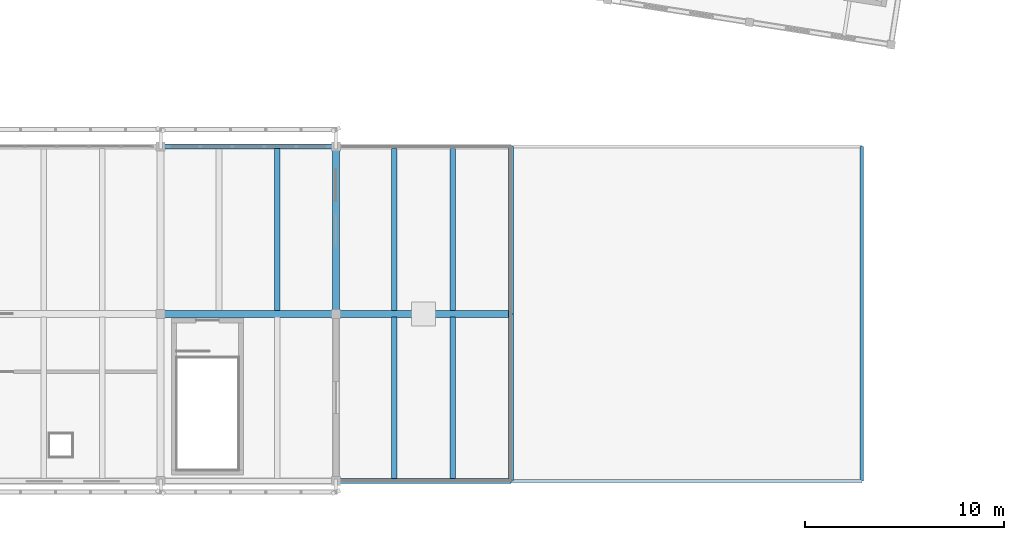
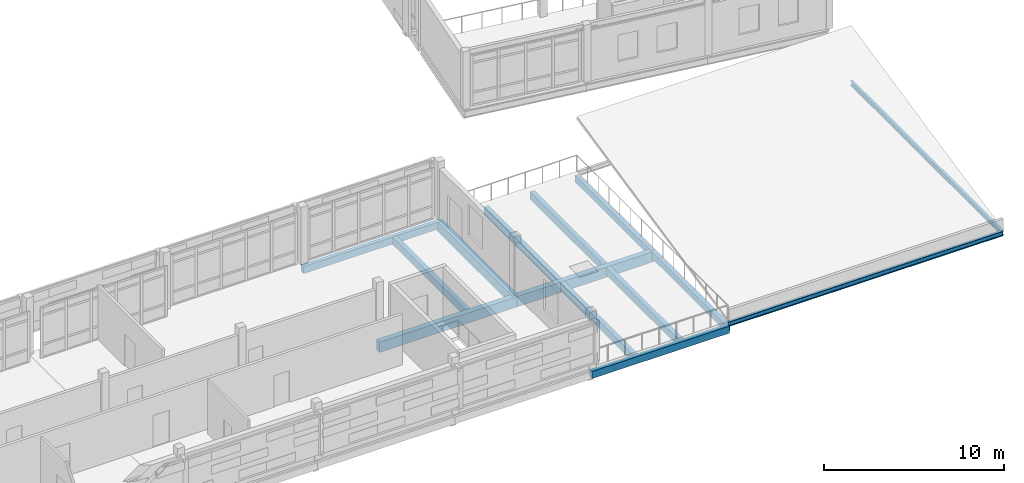
# One storey, part 32 of 117: 14 beams.
"""IFC4 building model written with IfcOpenShell, lengths in metres."""

from ifc_helpers import new_model, si_unit, direction, frame, origin, origin_2d, place, context, subcontext, project, spatial, rectangle, i_section, extrude, material, material_profile, profile_set, type_object, element, save


model = new_model("IFC4")

# Units and contexts
model_context = context("Model", 3, precision=1e-05, world=origin(), true_north=direction((0.0, 1.0)))
body_context = subcontext(model_context, "Body", "Model", "MODEL_VIEW")
ifc_project = project(units=[si_unit("LENGTHUNIT", "METRE"), si_unit("AREAUNIT", "SQUARE_METRE"), si_unit("VOLUMEUNIT", "CUBIC_METRE"), si_unit("PLANEANGLEUNIT", "RADIAN"), si_unit("MASSUNIT", "GRAM", prefix="KILO")], contexts=[model_context])

# Site, building, storey
site_placement = place(None, origin())
site = spatial("IfcSite", under=ifc_project, at=site_placement, CompositionType="ELEMENT")
building_placement = place(site_placement, origin())
building = spatial("IfcBuilding", under=site, at=building_placement, Name="Cinderway Yard Community Centre", CompositionType="ELEMENT")
storey_placement = place(building_placement, frame((0.0, 0.0, 9.0)))
storey = spatial("IfcBuildingStorey", under=building, at=storey_placement, Name="L02", CompositionType="ELEMENT", Elevation=9.0)

# Beams
ifc_material_1 = material(Name="Concrete C40/50", Category="concrete")
ifc_material_profile_1 = material_profile(ifc_material_1, rectangle(XDim=0.25, YDim=0.449951171875, at=origin_2d()), Name="Concrete C40/50")
ifc_profile_set_1 = profile_set([ifc_material_profile_1], Name="Concrete C40/50")
beam_type_1 = type_object("IfcBeamType", Name="STR-BM-RC250X450", PredefinedType="SPANDREL", material=ifc_profile_set_1)
beam_1_placement = place(storey_placement, frame((119.199951171875, 6.0, -0.465087890625), z_axis=(0.0, 1.0, 0.0), x_axis=(-1.0, 0.0, 0.0)))
element("IfcBeam", 1, at=beam_1_placement, inside=storey, type_object=beam_type_1, Name="Transverse girder STR-BM-L02-SP02-0469", PredefinedType="SPANDREL", context=body_context, shape_type="SweptSolid", body=[
    extrude(rectangle(XDim=0.25, YDim=0.449951171875, at=origin_2d()), origin(), (0.0, 0.0, 1.0), 8.39990234375),
])
beam_2_placement = place(storey_placement, frame((119.199951171875, 14.39990234375, -0.465087890625), z_axis=(0.0, 1.0, 0.0), x_axis=(-1.0, 0.0, 0.0)))
element("IfcBeam", 2, at=beam_2_placement, inside=storey, type_object=beam_type_1, Name="Transverse girder STR-BM-L02-SP02-0470", PredefinedType="SPANDREL", context=body_context, shape_type="SweptSolid", body=[
    extrude(rectangle(XDim=0.25, YDim=0.449951171875, at=origin_2d()), origin(), (0.0, 0.0, 1.0), 8.400146484375),
])
ifc_material_profile_2 = material_profile(ifc_material_1, rectangle(XDim=0.260009765625, YDim=0.47998046875, at=origin_2d()), Name="Concrete C40/50")
ifc_profile_set_2 = profile_set([ifc_material_profile_2], Name="Concrete C40/50")
beam_type_2 = type_object("IfcBeamType", Name="STR-BM-RC260X480", PredefinedType="SPANDREL", material=ifc_profile_set_2)
beam_3_placement = place(storey_placement, frame((110.39990234375, 6.0, -0.47998046875), z_axis=(1.0, 0.0, 0.0), x_axis=(0.0, 1.0, 0.0)))
element("IfcBeam", 3, at=beam_3_placement, inside=storey, type_object=beam_type_2, Name="Primary girder STR-BM-L02-SP01-0441", PredefinedType="SPANDREL", context=body_context, shape_type="SweptSolid", body=[
    extrude(rectangle(XDim=0.260009765625, YDim=0.47998046875, at=origin_2d()), origin(), (0.0, 0.0, 1.0), 8.800048828125),
])
beam_4_placement = place(storey_placement, frame((101.60009765625, 22.800048828125, -0.47998046875), z_axis=(1.0, 0.0, 0.0), x_axis=(0.0, 1.0, 0.0)))
element("IfcBeam", 4, at=beam_4_placement, inside=storey, type_object=beam_type_2, Name="Primary girder STR-BM-L02-SP01-0454", PredefinedType="SPANDREL", context=body_context, shape_type="SweptSolid", body=[
    extrude(rectangle(XDim=0.260009765625, YDim=0.47998046875, at=origin_2d()), origin(), (0.0, 0.0, 1.0), 8.7998046875),
])
ifc_material_2 = material(Name="Concrete C35/45", Category="concrete")
ifc_material_profile_3 = material_profile(ifc_material_2, rectangle(XDim=0.280029296875, YDim=0.52001953125, at=origin_2d()), Name="Concrete C35/45")
ifc_profile_set_3 = profile_set([ifc_material_profile_3], Name="Concrete C35/45")
beam_type_3 = type_object("IfcBeamType", Name="STR-BM-RC280X520", PredefinedType="JOIST", material=ifc_profile_set_3)
beam_5_placement = place(storey_placement, frame((107.467041015625, 14.556884765625, -0.5), z_axis=(0.0, 1.0, 0.0), x_axis=(-1.0, 0.0, 0.0)))
element("IfcBeam", 5, at=beam_5_placement, inside=storey, type_object=beam_type_3, Name="Secondary joist STR-BM-L02-BJ04-0491", PredefinedType="JOIST", context=body_context, shape_type="SweptSolid", body=[
    extrude(rectangle(XDim=0.280029296875, YDim=0.52001953125, at=origin_2d()), origin(), (0.0, 0.0, 1.0), 8.131103515625),
])
for number, where, z_axis, x_axis, name in (
    (6, (113.3330078125, 6.112060546875, -0.5), (0.0, 1.0, 0.0), (-1.0, 0.0, 0.0), "Secondary joist STR-BM-L02-BJ04-0492"),
    (7, (116.26708984375, 6.112060546875, -0.5), (0.0, 1.0, 0.0), (-1.0, 0.0, 0.0), "Secondary joist STR-BM-L02-BJ04-0493"),
):
    element("IfcBeam", number, at=place(storey_placement, frame(where, z_axis=z_axis, x_axis=x_axis)), inside=storey, type_object=beam_type_3, Name=name, PredefinedType="JOIST", context=body_context, shape_type="SweptSolid", body=[
        extrude(rectangle(XDim=0.280029296875, YDim=0.52001953125, at=origin_2d()), origin(), (0.0, 0.0, 1.0), 8.130859375),
    ])
for number, where, z_axis, x_axis, name in (
    (8, (113.3330078125, 14.556884765625, -0.5), (0.0, 1.0, 0.0), (-1.0, 0.0, 0.0), "Secondary joist STR-BM-L02-BJ04-0494"),
    (9, (116.26708984375, 14.556884765625, -0.5), (0.0, 1.0, 0.0), (-1.0, 0.0, 0.0), "Secondary joist STR-BM-L02-BJ04-0495"),
):
    element("IfcBeam", number, at=place(storey_placement, frame(where, z_axis=z_axis, x_axis=x_axis)), inside=storey, type_object=beam_type_3, Name=name, PredefinedType="JOIST", context=body_context, shape_type="SweptSolid", body=[
        extrude(rectangle(XDim=0.280029296875, YDim=0.52001953125, at=origin_2d()), origin(), (0.0, 0.0, 1.0), 8.131103515625),
    ])
ifc_material_profile_4 = material_profile(ifc_material_2, rectangle(XDim=0.35009765625, YDim=0.64990234375, at=origin_2d()), Name="Concrete C35/45")
ifc_profile_set_4 = profile_set([ifc_material_profile_4], Name="Concrete C35/45")
beam_type_4 = type_object("IfcBeamType", Name="STR-BM-RC350X650", PredefinedType="BEAM", material=ifc_profile_set_4)
beam_6_placement = place(storey_placement, frame((110.39990234375, 14.39990234375, -0.56494140625), z_axis=(0.0, 1.0, 0.0), x_axis=(-1.0, 0.0, 0.0)))
element("IfcBeam", 10, at=beam_6_placement, inside=storey, type_object=beam_type_4, Name="Transverse girder STR-BM-L02-BG08-0468", PredefinedType="BEAM", context=body_context, shape_type="SweptSolid", body=[
    extrude(rectangle(XDim=0.35009765625, YDim=0.64990234375, at=origin_2d()), origin(), (0.0, 0.0, 1.0), 8.400146484375),
])
ifc_material_profile_5 = material_profile(ifc_material_2, rectangle(XDim=0.35009765625, YDim=0.699951171875, at=origin_2d()), Name="Concrete C35/45")
ifc_profile_set_5 = profile_set([ifc_material_profile_5], Name="Concrete C35/45")
beam_type_5 = type_object("IfcBeamType", Name="STR-BM-RC350X700", PredefinedType="BEAM", material=ifc_profile_set_5)
beam_7_placement = place(storey_placement, frame((101.60009765625, 14.39990234375, -0.590087890625), z_axis=(1.0, 0.0, 0.0), x_axis=(0.0, 1.0, 0.0)))
element("IfcBeam", 11, at=beam_7_placement, inside=storey, type_object=beam_type_5, Name="Primary girder STR-BM-L02-BG07-0447", PredefinedType="BEAM", context=body_context, shape_type="SweptSolid", body=[
    extrude(rectangle(XDim=0.35009765625, YDim=0.699951171875, at=origin_2d()), origin(), (0.0, 0.0, 1.0), 8.7998046875),
])
beam_8_placement = place(storey_placement, frame((110.39990234375, 14.39990234375, -0.590087890625), z_axis=(1.0, 0.0, 0.0), x_axis=(0.0, 1.0, 0.0)))
element("IfcBeam", 12, at=beam_8_placement, inside=storey, type_object=beam_type_5, Name="Primary girder STR-BM-L02-BG07-0448", PredefinedType="BEAM", context=body_context, shape_type="SweptSolid", body=[
    extrude(rectangle(XDim=0.35009765625, YDim=0.699951171875, at=origin_2d()), origin(), (0.0, 0.0, 1.0), 8.800048828125),
])
ifc_material_3 = material(Name="Steel S355", Category="steel")
ifc_material_profile_6 = material_profile(ifc_material_3, i_section(OverallWidth=0.166015625, OverallDepth=0.31298828125, WebThickness=0.006591796875, FlangeThickness=0.01123046875, FilletRadius=0.010009765625, at=origin_2d()), Name="Steel S355")
ifc_profile_set_6 = profile_set([ifc_material_profile_6], Name="Steel S355")
beam_type_6 = type_object("IfcBeamType", Name="STR-BM-W310X45", PredefinedType="SPANDREL", material=ifc_profile_set_6)
beam_9_placement = place(storey_placement, frame((119.199951171875, 6.0, -0.156005859375), z_axis=(1.0, 0.0, 0.0), x_axis=(0.0, 1.0, 0.0)))
element("IfcBeam", 13, at=beam_9_placement, inside=storey, type_object=beam_type_6, Name="Arcade canopy tie STR-BM-L02-SS01-1152", PredefinedType="SPANDREL", context=body_context, shape_type="SweptSolid", body=[
    extrude(i_section(OverallWidth=0.166015625, OverallDepth=0.31298828125, WebThickness=0.006591796875, FlangeThickness=0.01123046875, FilletRadius=0.010009765625, at=origin_2d()), origin(), (0.0, 0.0, 1.0), 17.60009765625),
])
beam_10_placement = place(storey_placement, frame((136.800048828125, 6.0, -0.156005859375), z_axis=(0.0, 1.0, 0.0), x_axis=(-1.0, 0.0, 0.0)))
element("IfcBeam", 14, at=beam_10_placement, inside=storey, type_object=beam_type_6, Name="Arcade canopy tie STR-BM-L02-SS01-1154", PredefinedType="SPANDREL", context=body_context, shape_type="SweptSolid", body=[
    extrude(i_section(OverallWidth=0.166015625, OverallDepth=0.31298828125, WebThickness=0.006591796875, FlangeThickness=0.01123046875, FilletRadius=0.010009765625, at=origin_2d()), origin(), (0.0, 0.0, 1.0), 16.800048828125),
])

save(model, "model.ifc")
